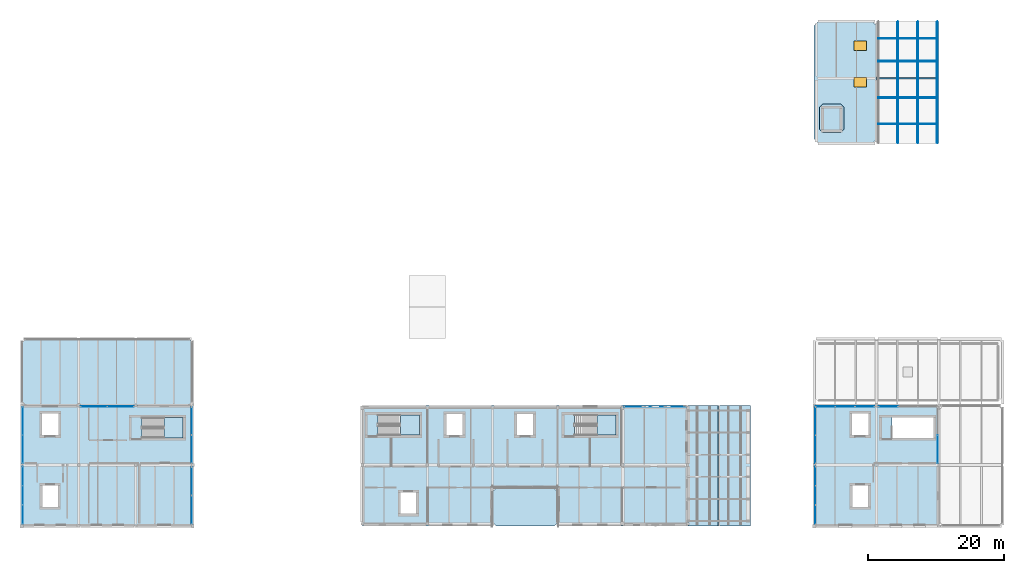
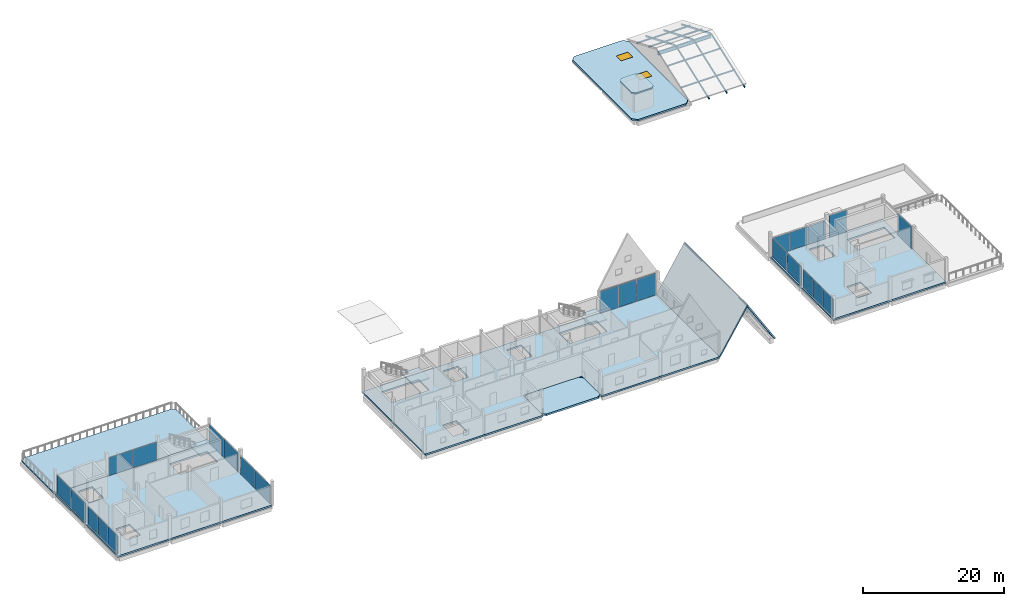
# One storey, part 11 of 23: 24 plates, 12 slabs, 10 members, 2 windows, 1 beam, 2 openings, 15 elements without a shape of their own.
"""IFC4 building model written with IfcOpenShell, lengths in metres."""

from ifc_helpers import new_model, si_unit, direction, frame, origin, origin_2d, place, context, subcontext, project, spatial, polyline, rectangle, i_section, outline, extrude, material, layer, layer_set, material_profile, profile_set, type_object, element, fill, aggregate, save


model = new_model("IFC4")

# Units and contexts
model_context = context("Model", 3, precision=1e-05, world=origin(), true_north=direction((0.0, 1.0)))
body_context = subcontext(model_context, "Body", "Model", "MODEL_VIEW")
ifc_project = project(units=[si_unit("LENGTHUNIT", "METRE"), si_unit("AREAUNIT", "SQUARE_METRE"), si_unit("VOLUMEUNIT", "CUBIC_METRE"), si_unit("PLANEANGLEUNIT", "RADIAN"), si_unit("MASSUNIT", "GRAM", prefix="KILO")], contexts=[model_context])

# Site, building, storey
site_placement = place(None, origin())
site = spatial("IfcSite", under=ifc_project, at=site_placement, CompositionType="ELEMENT")
building_placement = place(site_placement, origin())
building = spatial("IfcBuilding", under=site, at=building_placement, Name="Birchvale Park Specialist Clinic", CompositionType="ELEMENT")
storey_placement = place(building_placement, frame((0.0, 0.0, 18.0)))
storey = spatial("IfcBuildingStorey", under=building, at=storey_placement, Name="L04", CompositionType="ELEMENT", Elevation=18.0)

# Members
ifc_material_1 = material(Name="Glulam GL28h", Category="wood")
ifc_material_profile_1 = material_profile(ifc_material_1, rectangle(XDim=0.1201171875, YDim=0.199951171875, at=origin_2d()), Name="GL-120x200")
ifc_profile_set_1 = profile_set([ifc_material_profile_1], Name="Glulam GL28h")
member_type_1 = type_object("IfcMemberType", Name="MEM-GP2", PredefinedType="PURLIN", material=ifc_profile_set_1)
for number, where, z_axis, x_axis, name in (
    (1, (137.449951171875, 76.080078125, 0.714599609375), (1.0, 0.0, 0.0), (0.0, 1.0, 0.0), "L04 glulam roof purlin V6-L04-NL1 S.1"),
    (2, (137.449951171875, 79.919921875, 2.11474609375), (1.0, 0.0, 0.0), (0.0, 1.0, 0.0), "L04 glulam roof purlin V6-L04-NL1 S.2"),
    (3, (137.449951171875, 85.320068359375, 2.10888671875), (1.0, 0.0, 0.0), (0.0, 1.0, 0.0), "L04 glulam roof purlin V6-L04-NL1 N.1"),
    (4, (137.449951171875, 88.679931640625, 0.708740234375), (1.0, 0.0, 0.0), (0.0, 1.0, 0.0), "L04 glulam roof purlin V6-L04-NL1 N.2"),
):
    element("IfcMember", number, at=place(storey_placement, frame(where, z_axis=z_axis, x_axis=x_axis)), inside=storey, type_object=member_type_1, Name=name, PredefinedType="PURLIN", context=body_context, shape_type="SweptSolid", body=[
        extrude(rectangle(XDim=0.1201171875, YDim=0.199951171875, at=origin_2d()), origin(), (0.0, 0.0, 1.0), 8.699951171875),
    ])
ifc_material_profile_2 = material_profile(ifc_material_1, rectangle(XDim=0.139892578125, YDim=0.280029296875, at=origin_2d()), Name="GL-140x280")
ifc_profile_set_2 = profile_set([ifc_material_profile_2], Name="Glulam GL28h")
member_type_2 = type_object("IfcMemberType", Name="MEM-GR3", PredefinedType="RAFTER", material=ifc_profile_set_2)
for number, where, z_axis, x_axis, name in (
    (5, (140.35009765625, 73.25, -0.572509765625), (0.0, 0.939504766761, 0.342535827663), (-1.0, 0.0, 0.0), "L04 glulam roof rafter V6-L04-NL1 S.2"),
    (6, (143.25, 73.25, -0.572509765625), (0.0, 0.939504766761, 0.342535827663), (-1.0, 0.0, 0.0), "L04 glulam roof rafter V6-L04-NL1 S.3"),
    (7, (146.14990234375, 73.25, -0.572509765625), (0.0, 0.939504766761, 0.342535827663), (-1.0, 0.0, 0.0), "L04 glulam roof rafter V6-L04-NL1 S.4"),
):
    element("IfcMember", number, at=place(storey_placement, frame(where, z_axis=z_axis, x_axis=x_axis)), inside=storey, type_object=member_type_2, Name=name, PredefinedType="RAFTER", context=body_context, shape_type="SweptSolid", body=[
        extrude(rectangle(XDim=0.139892578125, YDim=0.280029296875, at=origin_2d()), origin(), (0.0, 0.0, 1.0), 10.11181640625),
    ])
for number, where, z_axis, x_axis, name in (
    (8, (140.35009765625, 82.85009765625, 2.8779296875), (0.0, 0.923076923077, -0.384615384615), (-1.0, 0.0, 0.0), "L04 glulam roof rafter V6-L04-NL1 N.2"),
    (9, (143.25, 82.85009765625, 2.8779296875), (0.0, 0.923076923077, -0.384615384615), (-1.0, 0.0, 0.0), "L04 glulam roof rafter V6-L04-NL1 N.3"),
    (10, (146.14990234375, 82.85009765625, 2.8779296875), (0.0, 0.923076923077, -0.384615384615), (-1.0, 0.0, 0.0), "L04 glulam roof rafter V6-L04-NL1 N.4"),
):
    element("IfcMember", number, at=place(storey_placement, frame(where, z_axis=z_axis, x_axis=x_axis)), inside=storey, type_object=member_type_2, Name=name, PredefinedType="RAFTER", context=body_context, shape_type="SweptSolid", body=[
        extrude(rectangle(XDim=0.139892578125, YDim=0.280029296875, at=origin_2d()), origin(), (0.0, 0.0, 1.0), 8.991455078125),
    ])

# Beam
ifc_material_2 = material(Name="Steel ASTM A992 Grade 50", Category="steel")
ifc_material_profile_3 = material_profile(ifc_material_2, i_section(OverallWidth=0.22900390625, OverallDepth=0.612060546875, WebThickness=0.011962890625, FlangeThickness=0.01953125, at=origin_2d()), Name="W24X84")
ifc_profile_set_3 = profile_set([ifc_material_profile_3], Name="Steel ASTM A992 Grade 50")
beam_type = type_object("IfcBeamType", Name="STL-EXT-SB2", PredefinedType="BEAM", material=ifc_profile_set_3)
beam_placement = place(storey_placement, frame((137.449951171875, 82.800048828125, 2.51904296875), z_axis=(1.0, 0.0, 0.0), x_axis=(0.0, 1.0, 0.0)))
element("IfcBeam", 11, at=beam_placement, inside=storey, type_object=beam_type, Name="L04 gable ridge beam V6-L04-NL1", PredefinedType="BEAM", context=body_context, shape_type="SweptSolid", body=[
    extrude(i_section(OverallWidth=0.22900390625, OverallDepth=0.612060546875, WebThickness=0.011962890625, FlangeThickness=0.01953125, at=origin_2d()), origin(), (0.0, 0.0, 1.0), 8.699951171875),
])

# Curtain wall, plates
ifc_material_3 = material(Name="Thermally broken anodised aluminium", Category="aluminium")
ifc_layer_1 = layer(ifc_material_3, 0.179931640625)
ifc_layer_set_1 = layer_set([ifc_layer_1], Name="Thermally broken anodised aluminium")
curtain_wall_type_1 = type_object("IfcCurtainWallType", Name="CW-U1", PredefinedType="USERDEFINED", material=ifc_layer_set_1)
curtain_wall_1_placement = place(storey_placement, origin())
curtain_wall_1 = element("IfcCurtainWall", 12, at=curtain_wall_1_placement, inside=storey, type_object=curtain_wall_type_1, Name="V4 L04 glazed curtain wall 139", ObjectType="UNITISED", PredefinedType="USERDEFINED")
ifc_material_4 = material(Name="Solar-control low-E double glazing", Category="glass")
ifc_layer_2 = layer(ifc_material_4, 0.028076171875)
ifc_layer_set_2 = layer_set([ifc_layer_2], Name="Solar-control low-E double glazing")
plate_type_1 = type_object("IfcPlateType", Name="CWP1", PredefinedType="CURTAIN_PANEL", material=ifc_layer_set_2)
plate_1_placement = place(storey_placement, frame((107.61572265625, 34.409912109375, 0.06005859375), z_axis=(0.0, 0.0, 1.0), x_axis=(-1.0, 0.0, 0.0)))
plate_1 = element("IfcPlate", 13, at=plate_1_placement, type_object=plate_type_1, Name="CW panel 1.1", PredefinedType="CURTAIN_PANEL", context=body_context, shape_type="SweptSolid", body=[
    extrude(rectangle(XDim=2.96826171875, YDim=0.028076171875, at=origin_2d()), origin(), (0.0, 0.0, 1.0), 3.820068359375),
])
plate_2_placement = place(storey_placement, frame((104.572509765625, 34.409912109375, 0.06005859375), z_axis=(0.0, 0.0, 1.0), x_axis=(-1.0, 0.0, 0.0)))
plate_2 = element("IfcPlate", 14, at=plate_2_placement, type_object=plate_type_1, Name="CW panel 2.1", PredefinedType="CURTAIN_PANEL", context=body_context, shape_type="SweptSolid", body=[
    extrude(rectangle(XDim=2.998291015625, YDim=0.028076171875, at=origin_2d()), origin(), (0.0, 0.0, 1.0), 3.820068359375),
])
plate_3_placement = place(storey_placement, frame((101.529052734375, 34.409912109375, 0.06005859375), z_axis=(0.0, 0.0, 1.0), x_axis=(-1.0, 0.0, 0.0)))
plate_3 = element("IfcPlate", 15, at=plate_3_placement, type_object=plate_type_1, Name="CW panel 3.1", PredefinedType="CURTAIN_PANEL", context=body_context, shape_type="SweptSolid", body=[
    extrude(rectangle(XDim=2.96826171875, YDim=0.028076171875, at=origin_2d()), origin(), (0.0, 0.0, 1.0), 3.820068359375),
])
aggregate(curtain_wall_1, [plate_1, plate_2, plate_3])

ifc_layer_3 = layer(ifc_material_3, 0.195068359375)
ifc_layer_set_3 = layer_set([ifc_layer_3], Name="Thermally broken anodised aluminium")
curtain_wall_type_2 = type_object("IfcCurtainWallType", Name="CW-U2", PredefinedType="USERDEFINED", material=ifc_layer_set_3)
curtain_wall_2_placement = place(storey_placement, origin())
curtain_wall_2 = element("IfcCurtainWall", 16, at=curtain_wall_2_placement, inside=storey, type_object=curtain_wall_type_2, Name="V2 L04 glazed curtain wall 134", ObjectType="UNITISED", PredefinedType="USERDEFINED")
ifc_layer_4 = layer(ifc_material_4, 0.031982421875)
ifc_layer_set_4 = layer_set([ifc_layer_4], Name="Solar-control low-E double glazing")
plate_type_2 = type_object("IfcPlateType", Name="CWP2", PredefinedType="CURTAIN_PANEL", material=ifc_layer_set_4)
plate_4_placement = place(storey_placement, frame((36.2451171875, 19.191162109375, 0.06494140625), z_axis=(0.0, 0.0, 1.0), x_axis=(0.0, 1.0, 0.0)))
plate_4 = element("IfcPlate", 17, at=plate_4_placement, type_object=plate_type_2, Name="CW panel 1.1", PredefinedType="CURTAIN_PANEL", context=body_context, shape_type="SweptSolid", body=[
    extrude(rectangle(XDim=4.152587890625, YDim=0.031982421875, at=origin_2d()), origin(), (0.0, 0.0, 1.0), 3.195068359375),
])
plate_5_placement = place(storey_placement, frame((36.2451171875, 23.40869140625, 0.06494140625), z_axis=(0.0, 0.0, 1.0), x_axis=(0.0, 1.0, 0.0)))
plate_5 = element("IfcPlate", 18, at=plate_5_placement, type_object=plate_type_2, Name="CW panel 2.1", PredefinedType="CURTAIN_PANEL", context=body_context, shape_type="SweptSolid", body=[
    extrude(rectangle(XDim=4.152587890625, YDim=0.031982421875, at=origin_2d()), origin(), (0.0, 0.0, 1.0), 3.195068359375),
])
aggregate(curtain_wall_2, [plate_4, plate_5])

curtain_wall_3_placement = place(storey_placement, origin())
curtain_wall_3 = element("IfcCurtainWall", 19, at=curtain_wall_3_placement, inside=storey, type_object=curtain_wall_type_2, Name="V2 L04 glazed curtain wall 135", ObjectType="UNITISED", PredefinedType="USERDEFINED")
plate_6_placement = place(storey_placement, frame((36.2451171875, 28.15380859375, 0.06494140625), z_axis=(0.0, 0.0, 1.0), x_axis=(0.0, 1.0, 0.0)))
plate_6 = element("IfcPlate", 20, at=plate_6_placement, type_object=plate_type_2, Name="CW panel 1.1", PredefinedType="CURTAIN_PANEL", context=body_context, shape_type="SweptSolid", body=[
    extrude(rectangle(XDim=4.077392578125, YDim=0.031982421875, at=origin_2d()), origin(), (0.0, 0.0, 1.0), 3.294921875),
])
plate_7_placement = place(storey_placement, frame((36.2451171875, 32.296142578125, 0.06494140625), z_axis=(0.0, 0.0, 1.0), x_axis=(0.0, 1.0, 0.0)))
plate_7 = element("IfcPlate", 21, at=plate_7_placement, type_object=plate_type_2, Name="CW panel 2.1", PredefinedType="CURTAIN_PANEL", context=body_context, shape_type="SweptSolid", body=[
    extrude(rectangle(XDim=4.077392578125, YDim=0.031982421875, at=origin_2d()), origin(), (0.0, 0.0, 1.0), 3.294921875),
])
aggregate(curtain_wall_3, [plate_6, plate_7])

curtain_wall_4_placement = place(storey_placement, origin())
curtain_wall_4 = element("IfcCurtainWall", 22, at=curtain_wall_4_placement, inside=storey, type_object=curtain_wall_type_2, Name="V2 L04 glazed curtain wall 136", ObjectType="UNITISED", PredefinedType="USERDEFINED")
plate_8_placement = place(storey_placement, frame((25.777587890625, 34.445068359375, 0.06494140625), z_axis=(0.0, 0.0, 1.0), x_axis=(-1.0, 0.0, 0.0)))
plate_8 = element("IfcPlate", 23, at=plate_8_placement, type_object=plate_type_2, Name="CW panel 1.1", PredefinedType="CURTAIN_PANEL", context=body_context, shape_type="SweptSolid", body=[
    extrude(rectangle(XDim=3.864990234375, YDim=0.031982421875, at=origin_2d()), origin(), (0.0, 0.0, 1.0), 3.14501953125),
])
plate_9_placement = place(storey_placement, frame((21.847412109375, 34.445068359375, 0.06494140625), z_axis=(0.0, 0.0, 1.0), x_axis=(-1.0, 0.0, 0.0)))
plate_9 = element("IfcPlate", 24, at=plate_9_placement, type_object=plate_type_2, Name="CW panel 2.1", PredefinedType="CURTAIN_PANEL", context=body_context, shape_type="SweptSolid", body=[
    extrude(rectangle(XDim=3.864990234375, YDim=0.031982421875, at=origin_2d()), origin(), (0.0, 0.0, 1.0), 3.14501953125),
])
aggregate(curtain_wall_4, [plate_8, plate_9])

curtain_wall_5_placement = place(storey_placement, origin())
curtain_wall_5 = element("IfcCurtainWall", 25, at=curtain_wall_5_placement, inside=storey, type_object=curtain_wall_type_2, Name="V2 L04 glazed curtain wall 137", ObjectType="UNITISED", PredefinedType="USERDEFINED")
plate_10_placement = place(storey_placement, frame((11.35498046875, 32.264892578125, 0.06494140625), z_axis=(0.0, 0.0, 1.0), x_axis=(0.0, -1.0, 0.0)))
plate_10 = element("IfcPlate", 26, at=plate_10_placement, type_object=plate_type_2, Name="CW panel 1.1", PredefinedType="CURTAIN_PANEL", context=body_context, shape_type="SweptSolid", body=[
    extrude(rectangle(XDim=4.090087890625, YDim=0.031982421875, at=origin_2d()), origin(), (0.0, 0.0, 1.0), 3.2548828125),
])
plate_11_placement = place(storey_placement, frame((11.35498046875, 28.110107421875, 0.06494140625), z_axis=(0.0, 0.0, 1.0), x_axis=(0.0, -1.0, 0.0)))
plate_11 = element("IfcPlate", 27, at=plate_11_placement, type_object=plate_type_2, Name="CW panel 2.1", PredefinedType="CURTAIN_PANEL", context=body_context, shape_type="SweptSolid", body=[
    extrude(rectangle(XDim=4.090087890625, YDim=0.031982421875, at=origin_2d()), origin(), (0.0, 0.0, 1.0), 3.2548828125),
])
aggregate(curtain_wall_5, [plate_10, plate_11])

curtain_wall_6_placement = place(storey_placement, origin())
curtain_wall_6 = element("IfcCurtainWall", 28, at=curtain_wall_6_placement, inside=storey, type_object=curtain_wall_type_2, Name="V2 L04 glazed curtain wall 138", ObjectType="UNITISED", PredefinedType="USERDEFINED")
plate_12_placement = place(storey_placement, frame((11.35498046875, 24.15869140625, 0.06494140625), z_axis=(0.0, 0.0, 1.0), x_axis=(0.0, -1.0, 0.0)))
plate_12 = element("IfcPlate", 29, at=plate_12_placement, type_object=plate_type_2, Name="CW panel 1.1", PredefinedType="CURTAIN_PANEL", context=body_context, shape_type="SweptSolid", body=[
    extrude(rectangle(XDim=2.75244140625, YDim=0.031982421875, at=origin_2d()), origin(), (0.0, 0.0, 1.0), 3.155029296875),
])
plate_13_placement = place(storey_placement, frame((11.35498046875, 21.324951171875, 0.06494140625), z_axis=(0.0, 0.0, 1.0), x_axis=(0.0, -1.0, 0.0)))
plate_13 = element("IfcPlate", 30, at=plate_13_placement, type_object=plate_type_2, Name="CW panel 2.1", PredefinedType="CURTAIN_PANEL", context=body_context, shape_type="SweptSolid", body=[
    extrude(rectangle(XDim=2.784912109375, YDim=0.031982421875, at=origin_2d()), origin(), (0.0, 0.0, 1.0), 3.155029296875),
])
plate_14_placement = place(storey_placement, frame((11.35498046875, 18.4912109375, 0.06494140625), z_axis=(0.0, 0.0, 1.0), x_axis=(0.0, -1.0, 0.0)))
plate_14 = element("IfcPlate", 31, at=plate_14_placement, type_object=plate_type_2, Name="CW panel 3.1", PredefinedType="CURTAIN_PANEL", context=body_context, shape_type="SweptSolid", body=[
    extrude(rectangle(XDim=2.75244140625, YDim=0.031982421875, at=origin_2d()), origin(), (0.0, 0.0, 1.0), 3.155029296875),
])
aggregate(curtain_wall_6, [plate_12, plate_13, plate_14])

# Curtain wall, plate
curtain_wall_7_placement = place(storey_placement, origin())
curtain_wall_7 = element("IfcCurtainWall", 32, at=curtain_wall_7_placement, inside=storey, type_object=curtain_wall_type_2, Name="V5 L04 glazed curtain wall 140", ObjectType="UNITISED", PredefinedType="USERDEFINED")
plate_15_placement = place(storey_placement, frame((146.22509765625, 28.128662109375, 0.06494140625), z_axis=(0.0, 0.0, 1.0), x_axis=(0.0, 1.0, 0.0)))
plate_15 = element("IfcPlate", 33, at=plate_15_placement, type_object=plate_type_2, Name="CW panel 1.1", PredefinedType="CURTAIN_PANEL", context=body_context, shape_type="SweptSolid", body=[
    extrude(rectangle(XDim=4.077392578125, YDim=0.031982421875, at=origin_2d()), origin(), (0.0, 0.0, 1.0), 3.7900390625),
])
aggregate(curtain_wall_7, [plate_15])

curtain_wall_8_placement = place(storey_placement, origin())
curtain_wall_8 = element("IfcCurtainWall", 34, at=curtain_wall_8_placement, inside=storey, type_object=curtain_wall_type_2, Name="V5 L04 glazed curtain wall 141", ObjectType="UNITISED", PredefinedType="USERDEFINED")
plate_16_placement = place(storey_placement, frame((138.92041015625, 34.425048828125, 0.06494140625), z_axis=(0.0, 0.0, 1.0), x_axis=(-1.0, 0.0, 0.0)))
plate_16 = element("IfcPlate", 35, at=plate_16_placement, type_object=plate_type_2, Name="CW panel 3.1", PredefinedType="CURTAIN_PANEL", context=body_context, shape_type="SweptSolid", body=[
    extrude(rectangle(XDim=2.810791015625, YDim=0.031982421875, at=origin_2d()), origin(), (0.0, 0.0, 1.0), 3.7900390625),
])
aggregate(curtain_wall_8, [plate_16])

# Curtain wall, plates
curtain_wall_9_placement = place(storey_placement, origin())
curtain_wall_9 = element("IfcCurtainWall", 36, at=curtain_wall_9_placement, inside=storey, type_object=curtain_wall_type_2, Name="V5 L04 glazed curtain wall 142", ObjectType="UNITISED", PredefinedType="USERDEFINED")
plate_17_placement = place(storey_placement, frame((135.47119140625, 34.425048828125, 0.06494140625), z_axis=(0.0, 0.0, 1.0), x_axis=(-1.0, 0.0, 0.0)))
plate_17 = element("IfcPlate", 37, at=plate_17_placement, type_object=plate_type_2, Name="CW panel 1.1", PredefinedType="CURTAIN_PANEL", context=body_context, shape_type="SweptSolid", body=[
    extrude(rectangle(XDim=2.827392578125, YDim=0.031982421875, at=origin_2d()), origin(), (0.0, 0.0, 1.0), 3.1298828125),
])
plate_18_placement = place(storey_placement, frame((132.5625, 34.425048828125, 0.06494140625), z_axis=(0.0, 0.0, 1.0), x_axis=(-1.0, 0.0, 0.0)))
plate_18 = element("IfcPlate", 38, at=plate_18_placement, type_object=plate_type_2, Name="CW panel 2.1", PredefinedType="CURTAIN_PANEL", context=body_context, shape_type="SweptSolid", body=[
    extrude(rectangle(XDim=2.860107421875, YDim=0.031982421875, at=origin_2d()), origin(), (0.0, 0.0, 1.0), 3.1298828125),
])
plate_19_placement = place(storey_placement, frame((129.65380859375, 34.425048828125, 0.06494140625), z_axis=(0.0, 0.0, 1.0), x_axis=(-1.0, 0.0, 0.0)))
plate_19 = element("IfcPlate", 39, at=plate_19_placement, type_object=plate_type_2, Name="CW panel 3.1", PredefinedType="CURTAIN_PANEL", context=body_context, shape_type="SweptSolid", body=[
    extrude(rectangle(XDim=2.827392578125, YDim=0.031982421875, at=origin_2d()), origin(), (0.0, 0.0, 1.0), 3.1298828125),
])
aggregate(curtain_wall_9, [plate_17, plate_18, plate_19])

curtain_wall_10_placement = place(storey_placement, origin())
curtain_wall_10 = element("IfcCurtainWall", 40, at=curtain_wall_10_placement, inside=storey, type_object=curtain_wall_type_2, Name="V5 L04 glazed curtain wall 143", ObjectType="UNITISED", PredefinedType="USERDEFINED")
plate_20_placement = place(storey_placement, frame((128.175048828125, 32.264892578125, 0.06494140625), z_axis=(0.0, 0.0, 1.0), x_axis=(0.0, -1.0, 0.0)))
plate_20 = element("IfcPlate", 41, at=plate_20_placement, type_object=plate_type_2, Name="CW panel 1.1", PredefinedType="CURTAIN_PANEL", context=body_context, shape_type="SweptSolid", body=[
    extrude(rectangle(XDim=4.090087890625, YDim=0.031982421875, at=origin_2d()), origin(), (0.0, 0.0, 1.0), 3.239990234375),
])
plate_21_placement = place(storey_placement, frame((128.175048828125, 28.110107421875, 0.06494140625), z_axis=(0.0, 0.0, 1.0), x_axis=(0.0, -1.0, 0.0)))
plate_21 = element("IfcPlate", 42, at=plate_21_placement, type_object=plate_type_2, Name="CW panel 2.1", PredefinedType="CURTAIN_PANEL", context=body_context, shape_type="SweptSolid", body=[
    extrude(rectangle(XDim=4.090087890625, YDim=0.031982421875, at=origin_2d()), origin(), (0.0, 0.0, 1.0), 3.239990234375),
])
aggregate(curtain_wall_10, [plate_20, plate_21])

curtain_wall_11_placement = place(storey_placement, origin())
curtain_wall_11 = element("IfcCurtainWall", 43, at=curtain_wall_11_placement, inside=storey, type_object=curtain_wall_type_2, Name="V5 L04 glazed curtain wall 144", ObjectType="UNITISED", PredefinedType="USERDEFINED")
plate_22_placement = place(storey_placement, frame((128.175048828125, 24.15869140625, 0.06494140625), z_axis=(0.0, 0.0, 1.0), x_axis=(0.0, -1.0, 0.0)))
plate_22 = element("IfcPlate", 44, at=plate_22_placement, type_object=plate_type_2, Name="CW panel 1.1", PredefinedType="CURTAIN_PANEL", context=body_context, shape_type="SweptSolid", body=[
    extrude(rectangle(XDim=2.75244140625, YDim=0.031982421875, at=origin_2d()), origin(), (0.0, 0.0, 1.0), 3.139892578125),
])
plate_23_placement = place(storey_placement, frame((128.175048828125, 21.324951171875, 0.06494140625), z_axis=(0.0, 0.0, 1.0), x_axis=(0.0, -1.0, 0.0)))
plate_23 = element("IfcPlate", 45, at=plate_23_placement, type_object=plate_type_2, Name="CW panel 2.1", PredefinedType="CURTAIN_PANEL", context=body_context, shape_type="SweptSolid", body=[
    extrude(rectangle(XDim=2.784912109375, YDim=0.031982421875, at=origin_2d()), origin(), (0.0, 0.0, 1.0), 3.139892578125),
])
plate_24_placement = place(storey_placement, frame((128.175048828125, 18.4912109375, 0.06494140625), z_axis=(0.0, 0.0, 1.0), x_axis=(0.0, -1.0, 0.0)))
plate_24 = element("IfcPlate", 46, at=plate_24_placement, type_object=plate_type_2, Name="CW panel 3.1", PredefinedType="CURTAIN_PANEL", context=body_context, shape_type="SweptSolid", body=[
    extrude(rectangle(XDim=2.75244140625, YDim=0.031982421875, at=origin_2d()), origin(), (0.0, 0.0, 1.0), 3.139892578125),
])
aggregate(curtain_wall_11, [plate_22, plate_23, plate_24])

# Slabs
ifc_material_5 = material(Name="Concrete C35/45", Category="concrete")
ifc_layer_5 = layer(ifc_material_5, 0.31005859375)
ifc_layer_set_5 = layer_set([ifc_layer_5], Name="Concrete C35/45")
slab_type_1 = type_object("IfcSlabType", Name="SLB-ES1", PredefinedType="FLOOR", material=ifc_layer_set_5)
slab_1_placement = place(storey_placement, frame((0.0, 0.0, -0.31005859375)))
element("IfcSlab", 47, at=slab_1_placement, inside=storey, type_object=slab_type_1, Name="V2 L04 outdoor terrace slab 1", PredefinedType="FLOOR", context=body_context, shape_type="SweptSolid", body=[
    extrude(outline(polyline([(11.75, 34.60009765625), (35.85009765625, 34.60009765625), (36.39990234375, 35.14990234375), (36.39990234375, 43.85009765625), (35.85009765625, 44.39990234375), (11.75, 44.39990234375), (11.199951171875, 43.85009765625), (11.199951171875, 35.14990234375), (11.75, 34.60009765625)])), origin(), (0.0, 0.0, 1.0), 0.31005859375),
])
slab_2_placement = place(storey_placement, frame((0.0, 0.0, -0.31005859375)))
element("IfcSlab", 48, at=slab_2_placement, inside=storey, type_object=slab_type_1, Name="V4 L04 outdoor terrace slab 1", PredefinedType="FLOOR", context=body_context, shape_type="SweptSolid", body=[
    extrude(outline(polyline([(81.14990234375, 16.800048828125), (89.64990234375, 16.800048828125), (90.199951171875, 17.35009765625), (90.199951171875, 21.85009765625), (89.64990234375, 22.39990234375), (81.14990234375, 22.39990234375), (80.60009765625, 21.85009765625), (80.60009765625, 17.35009765625), (81.14990234375, 16.800048828125)])), origin(), (0.0, 0.0, 1.0), 0.31005859375),
])
ifc_layer_6 = layer(ifc_material_5, 0.280029296875)
ifc_layer_set_6 = layer_set([ifc_layer_6], Name="Concrete C35/45")
slab_type_2 = type_object("IfcSlabType", Name="SLB-FS4", PredefinedType="FLOOR", material=ifc_layer_set_6)
slab_3_placement = place(storey_placement, frame((0.0, 0.0, -0.280029296875)))
element("IfcSlab", 49, at=slab_3_placement, inside=storey, type_object=slab_type_2, Name="V2 L04 structural slab 1", PredefinedType="FLOOR", context=body_context, shape_type="SweptSolid", body=[
    extrude(outline(polyline([(11.199951171875, 16.800048828125), (36.39990234375, 16.800048828125), (36.39990234375, 34.60009765625), (11.199951171875, 34.60009765625), (11.199951171875, 16.800048828125)]), holes=[polyline([(28.905029296875, 29.800048828125), (35.0, 29.800048828125), (35.0, 32.800048828125), (28.905029296875, 32.800048828125), (28.905029296875, 29.800048828125)]), polyline([(14.25, 19.64990234375), (16.550048828125, 19.64990234375), (16.550048828125, 22.75), (14.25, 22.75), (14.25, 19.64990234375)]), polyline([(14.199951171875, 30.199951171875), (16.60009765625, 30.199951171875), (16.60009765625, 33.39990234375), (14.199951171875, 33.39990234375), (14.199951171875, 30.199951171875)])]), origin(), (0.0, 0.0, 1.0), 0.280029296875),
])
slab_4_placement = place(storey_placement, frame((0.0, 0.0, -0.280029296875)))
element("IfcSlab", 50, at=slab_4_placement, inside=storey, type_object=slab_type_2, Name="V4 L04 structural slab 1", PredefinedType="FLOOR", context=body_context, shape_type="SweptSolid", body=[
    extrude(outline(polyline([(61.39990234375, 16.800048828125), (80.60009765625, 16.800048828125), (80.60009765625, 22.39990234375), (90.199951171875, 22.39990234375), (90.199951171875, 16.800048828125), (109.39990234375, 16.800048828125), (109.39990234375, 34.60009765625), (61.39990234375, 34.60009765625), (61.39990234375, 16.800048828125)]), holes=[polyline([(63.705078125, 30.199951171875), (69.800048828125, 30.199951171875), (69.800048828125, 33.199951171875), (63.705078125, 33.199951171875), (63.705078125, 30.199951171875)]), polyline([(92.705078125, 30.199951171875), (98.800048828125, 30.199951171875), (98.800048828125, 33.199951171875), (92.705078125, 33.199951171875), (92.705078125, 30.199951171875)]), polyline([(73.800048828125, 30.199951171875), (76.199951171875, 30.199951171875), (76.199951171875, 33.300048828125), (73.800048828125, 33.300048828125), (73.800048828125, 30.199951171875)]), polyline([(84.199951171875, 30.199951171875), (86.60009765625, 30.199951171875), (86.60009765625, 33.300048828125), (84.199951171875, 33.300048828125), (84.199951171875, 30.199951171875)]), polyline([(67.050048828125, 18.64990234375), (69.35009765625, 18.64990234375), (69.35009765625, 21.75), (67.050048828125, 21.75), (67.050048828125, 18.64990234375)])]), origin(), (0.0, 0.0, 1.0), 0.280029296875),
])
slab_5_placement = place(storey_placement, frame((0.0, 0.0, -0.280029296875)))
element("IfcSlab", 51, at=slab_5_placement, inside=storey, type_object=slab_type_2, Name="V5 L04 structural slab 1", PredefinedType="FLOOR", context=body_context, shape_type="SweptSolid", body=[
    extrude(outline(polyline([(128.0, 16.800048828125), (146.39990234375, 16.800048828125), (146.39990234375, 34.60009765625), (128.0, 34.60009765625), (128.0, 16.800048828125)]), holes=[polyline([(139.5048828125, 29.800048828125), (145.60009765625, 29.800048828125), (145.60009765625, 32.800048828125), (139.5048828125, 32.800048828125), (139.5048828125, 29.800048828125)]), polyline([(133.64990234375, 19.64990234375), (135.949951171875, 19.64990234375), (135.949951171875, 22.75), (133.64990234375, 22.75), (133.64990234375, 19.64990234375)]), polyline([(133.60009765625, 30.199951171875), (136.0, 30.199951171875), (136.0, 33.39990234375), (133.60009765625, 33.39990234375), (133.60009765625, 30.199951171875)])]), origin(), (0.0, 0.0, 1.0), 0.280029296875),
])

# Stair, slab
stair_type = type_object("IfcStairType", Name="ST-H42", PredefinedType="HALF_TURN_STAIR", material=ifc_material_5)
stair_1_placement = place(storey_placement, origin())
stair_1 = element("IfcStair", 52, at=stair_1_placement, inside=storey, type_object=stair_type, Name="L04 Protected exit stair ST2", PredefinedType="HALF_TURN_STAIR")
ifc_layer_7 = layer(ifc_material_5, 0.199951171875)
ifc_layer_set_7 = layer_set([ifc_layer_7], Name="Concrete C35/45")
slab_type_3 = type_object("IfcSlabType", Name="SLB-LND1", PredefinedType="LANDING", material=ifc_layer_set_7)
slab_6_placement = place(storey_placement, frame((0.0, 0.0, 1.89990234375)))
slab_6 = element("IfcSlab", 53, at=slab_6_placement, type_object=slab_type_3, Name="ST2 landing 1", PredefinedType="LANDING", context=body_context, shape_type="SweptSolid", body=[
    extrude(outline(polyline([(32.199951171875, 29.800048828125), (35.0, 29.800048828125), (35.0, 32.800048828125), (32.199951171875, 32.800048828125), (32.199951171875, 29.800048828125)])), origin(), (0.0, 0.0, 1.0), 0.2001953125),
])
aggregate(stair_1, [slab_6])

stair_2_placement = place(storey_placement, origin())
stair_2 = element("IfcStair", 54, at=stair_2_placement, inside=storey, type_object=stair_type, Name="L04 Protected exit stair ST4", PredefinedType="HALF_TURN_STAIR")
slab_7_placement = place(storey_placement, frame((0.0, 0.0, 1.89990234375)))
slab_7 = element("IfcSlab", 55, at=slab_7_placement, type_object=slab_type_3, Name="ST4 landing 1", PredefinedType="LANDING", context=body_context, shape_type="SweptSolid", body=[
    extrude(outline(polyline([(67.0, 30.199951171875), (69.800048828125, 30.199951171875), (69.800048828125, 33.199951171875), (67.0, 33.199951171875), (67.0, 30.199951171875)])), origin(), (0.0, 0.0, 1.0), 0.2001953125),
])
aggregate(stair_2, [slab_7])

stair_3_placement = place(storey_placement, origin())
stair_3 = element("IfcStair", 56, at=stair_3_placement, inside=storey, type_object=stair_type, Name="L04 Protected exit stair ST5", PredefinedType="HALF_TURN_STAIR")
slab_8_placement = place(storey_placement, frame((0.0, 0.0, 1.89990234375)))
slab_8 = element("IfcSlab", 57, at=slab_8_placement, type_object=slab_type_3, Name="ST5 landing 1", PredefinedType="LANDING", context=body_context, shape_type="SweptSolid", body=[
    extrude(outline(polyline([(96.0, 30.199951171875), (98.800048828125, 30.199951171875), (98.800048828125, 33.199951171875), (96.0, 33.199951171875), (96.0, 30.199951171875)])), origin(), (0.0, 0.0, 1.0), 0.2001953125),
])
aggregate(stair_3, [slab_8])

# Roof, slabs
ifc_material_6 = material(Name="Standing-seam titanium-zinc roofing")
roof_type = type_object("IfcRoofType", Name="ROOF-GBL1", PredefinedType="GABLE_ROOF", material=ifc_material_6)
roof_placement = place(storey_placement, origin())
roof = element("IfcRoof", 58, at=roof_placement, inside=storey, type_object=roof_type, Name="L04 house-shaped gable roof V4-B7", PredefinedType="GABLE_ROOF")
ifc_layer_8 = layer(ifc_material_5, 0.2099609375)
ifc_layer_set_8 = layer_set([ifc_layer_8], Name="Concrete C35/45")
slab_type_4 = type_object("IfcSlabType", Name="SLB-RS1", PredefinedType="ROOF", material=ifc_layer_set_8)
slab_9_placement = place(storey_placement, frame((109.39990234375, 16.800048828125, 0.0), z_axis=(-0.849284295917, 0.0, 0.527935777068), x_axis=(0.527935777068, 0.0, 0.849284295917)))
slab_9 = element("IfcSlab", 59, at=slab_9_placement, type_object=slab_type_4, Name="L04 gable roof deck V4-B7 W", PredefinedType="ROOF", context=body_context, shape_type="SweptSolid", body=[
    extrude(outline(polyline([(0.0, 0.0), (8.6222645837827, 0.0), (8.6222645837827, 17.800048828124996), (0.0, 17.800048828124996), (0.0, 0.0)])), origin(), (0.0, 0.0, -1.0), 0.2099609375),
])
slab_10_placement = place(storey_placement, frame((114.048095703125, 16.800048828125, 7.32275390625), z_axis=(0.849284295917, 0.0, 0.527935777068), x_axis=(0.527935777068, 0.0, -0.849284295917)))
slab_10 = element("IfcSlab", 60, at=slab_10_placement, type_object=slab_type_4, Name="L04 gable roof deck V4-B7 E", PredefinedType="ROOF", context=body_context, shape_type="SweptSolid", body=[
    extrude(outline(polyline([(0.0, 0.0), (8.6222645837827, 0.0), (8.6222645837827, 17.800048828124996), (0.0, 17.800048828124996), (0.0, 0.0)])), origin(), (0.0, 0.0, -1.0), 0.2099609375),
])
aggregate(roof, [slab_9, slab_10])

# Slab, openings, windows
ifc_layer_9 = layer(ifc_material_5, 0.27490234375)
ifc_layer_set_9 = layer_set([ifc_layer_9], Name="Concrete C35/45")
slab_type_5 = type_object("IfcSlabType", Name="SLB-RS4", PredefinedType="ROOF", material=ifc_layer_set_9)
slab_11_placement = place(storey_placement, frame((0.0, 0.0, -0.27490234375)))
slab_11 = element("IfcSlab", 61, at=slab_11_placement, inside=storey, type_object=slab_type_5, Name="V6 L04 flat roof slab SLB-V6-L04-SKL", PredefinedType="ROOF", context=body_context, shape_type="SweptSolid", body=[
    extrude(outline(polyline([(128.64990234375, 73.199951171875), (136.550048828125, 73.199951171875), (137.199951171875, 73.85009765625), (137.199951171875, 90.550048828125), (136.550048828125, 91.199951171875), (128.64990234375, 91.199951171875), (128.0, 90.550048828125), (128.0, 73.85009765625), (128.64990234375, 73.199951171875)])), origin(), (0.0, 0.0, 1.0), 0.27490234375),
])
opening_1_placement = place(slab_11_placement, frame((134.800048828125, 82.199951171875, 0.0)))
opening_1 = element("IfcOpeningElement", 62, at=opening_1_placement, cuts=slab_11, Name="Opening SK-05", PredefinedType="OPENING", context=body_context, shape_type="SweptSolid", body=[
    extrude(rectangle(XDim=1.89990234375, YDim=1.39990234375, at=origin_2d()), frame((0.0, 0.0, -0.010009765625)), (0.0, 0.0, 1.0), 0.294921875),
])
opening_2_placement = place(slab_11_placement, frame((134.800048828125, 87.60009765625, 0.0)))
opening_2 = element("IfcOpeningElement", 63, at=opening_2_placement, cuts=slab_11, Name="Opening SK-05", PredefinedType="OPENING", context=body_context, shape_type="SweptSolid", body=[
    extrude(rectangle(XDim=1.89990234375, YDim=1.39990234375, at=origin_2d()), frame((0.0, 0.0, -0.010009765625)), (0.0, 0.0, 1.0), 0.294921875),
])
window_type = type_object("IfcWindowType", Name="WIN-SK-05", PartitioningType="SINGLE_PANEL", PredefinedType="SKYLIGHT", material=ifc_material_4)
window_1_placement = place(opening_1_placement, frame((0.0, 0.0, 0.224853515625)))
window_1 = element("IfcWindow", 64, at=window_1_placement, inside=storey, type_object=window_type, Name="L04 roof daylight skylight 21", OverallHeight=1.39990234375, OverallWidth=1.89990234375, PartitioningType="SINGLE_PANEL", PredefinedType="SKYLIGHT", context=body_context, shape_type="SweptSolid", body=[
    extrude(rectangle(XDim=1.89990234375, YDim=1.39990234375, at=origin_2d()), origin(), (0.0, 0.0, 1.0), 0.050048828125),
])
fill(opening_1, window_1)
window_2_placement = place(opening_2_placement, frame((0.0, 0.0, 0.224853515625)))
window_2 = element("IfcWindow", 65, at=window_2_placement, inside=storey, type_object=window_type, Name="L04 roof daylight skylight 22", OverallHeight=1.39990234375, OverallWidth=1.89990234375, PartitioningType="SINGLE_PANEL", PredefinedType="SKYLIGHT", context=body_context, shape_type="SweptSolid", body=[
    extrude(rectangle(XDim=1.89990234375, YDim=1.39990234375, at=origin_2d()), origin(), (0.0, 0.0, 1.0), 0.050048828125),
])
fill(opening_2, window_2)

# Slab
ifc_layer_10 = layer(ifc_material_5, 0.25)
ifc_layer_set_10 = layer_set([ifc_layer_10], Name="Concrete C35/45")
slab_type_6 = type_object("IfcSlabType", Name="SLB-RS5", PredefinedType="ROOF", material=ifc_layer_set_10)
slab_12_placement = place(storey_placement, frame((0.0, 0.0, 3.14990234375)))
element("IfcSlab", 66, at=slab_12_placement, inside=storey, type_object=slab_type_6, Name="V6 L04 lift overrun cap roof", PredefinedType="ROOF", context=body_context, shape_type="SweptSolid", body=[
    extrude(outline(polyline([(129.280029296875, 74.800048828125), (131.919921875, 74.800048828125), (132.39990234375, 75.280029296875), (132.39990234375, 78.52001953125), (131.919921875, 79.0), (129.280029296875, 79.0), (128.800048828125, 78.52001953125), (128.800048828125, 75.280029296875), (129.280029296875, 74.800048828125)])), origin(), (0.0, 0.0, 1.0), 0.25),
])

save(model, "model.ifc")
